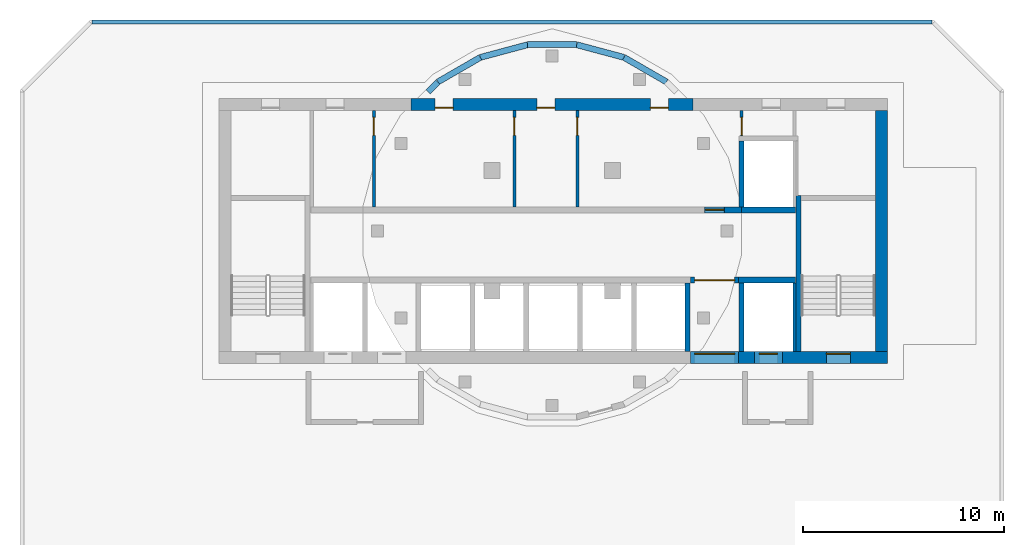
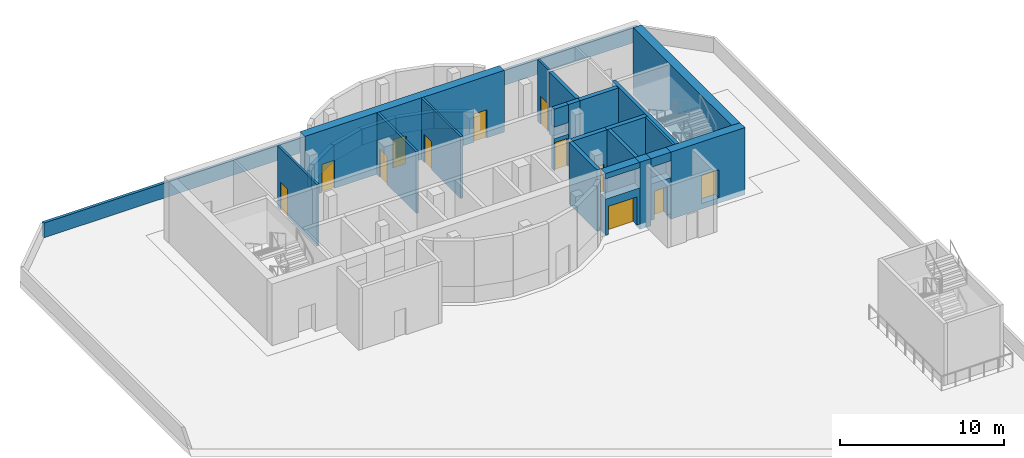
# One storey, part 3 of 7: 30 walls, 12 doors, 12 openings.
"""IFC4 building model written with IfcOpenShell, lengths in metres."""

from ifc_helpers import new_model, si_unit, direction, frame, frame_2d, origin, place, context, subcontext, project, spatial, rectangle, extrude, source, transform, mapped, material, layer, layer_set, type_object, element, fill, save


model = new_model("IFC4")

# Units and contexts
model_context = context("Model", 3, precision=1e-05, world=origin(), true_north=direction((0.0, 1.0)))
body_context = subcontext(model_context, "Body", "Model", "MODEL_VIEW")
ifc_project = project(units=[si_unit("LENGTHUNIT", "METRE"), si_unit("AREAUNIT", "SQUARE_METRE"), si_unit("VOLUMEUNIT", "CUBIC_METRE"), si_unit("PLANEANGLEUNIT", "RADIAN"), si_unit("MASSUNIT", "GRAM", prefix="KILO")], contexts=[model_context])

# Site, building, storey
site_placement = place(None, origin())
site = spatial("IfcSite", under=ifc_project, at=site_placement, CompositionType="ELEMENT")
building_placement = place(site_placement, origin())
building = spatial("IfcBuilding", under=site, at=building_placement, Name="Kilnfold Tower and Market Hall", CompositionType="ELEMENT")
storey_placement = place(building_placement, frame((0.0, 0.0, 318.800048828125)))
storey = spatial("IfcBuildingStorey", under=building, at=storey_placement, Name="L80 Crown Plant", CompositionType="ELEMENT", Elevation=318.800048828125)

# Walls
ifc_material_1 = material(Name="Concrete C50", Category="concrete")
ifc_layer_1 = layer(ifc_material_1, 0.25)
ifc_layer_set_1 = layer_set([ifc_layer_1], Name="Concrete C50")
wall_type_1 = type_object("IfcWallType", Name="CORE WALL 250 C50", PredefinedType="SHEAR", material=ifc_layer_set_1)
shared_shape_1 = source(origin(), body_context, "Body", "SweptSolid", [
    extrude(rectangle(XDim=7.75, YDim=0.25, at=frame_2d((3.875, 0.0))), origin(), (0.0, 0.0, 1.0), 5.0),
])
wall_1_placement = place(storey_placement, frame((13.27490234375, 9.0, -0.400146484375), z_axis=(0.0, 0.0, 1.0), x_axis=(0.0, 1.0, 0.0)))
element("IfcWall", 1, at=wall_1_placement, inside=storey, type_object=wall_type_1, Name="Stair enclosure ST2", PredefinedType="SHEAR", context=body_context, shape_type="MappedRepresentation", body=[
    mapped(shared_shape_1, transform((0.0, 0.0, 0.0))),
])
ifc_material_2 = material(Name="Concrete C50", Category="concrete")
ifc_layer_2 = layer(ifc_material_2, 0.300048828125)
ifc_layer_set_2 = layer_set([ifc_layer_2], Name="Concrete C50")
wall_type_2 = type_object("IfcWallType", Name="CORE WALL 300 C50", PredefinedType="SHEAR", material=ifc_layer_set_2)
shared_shape_2 = source(origin(), body_context, "Body", "SweptSolid", [
    extrude(rectangle(XDim=2.820068359375, YDim=0.300048828125, at=frame_2d((1.41015625, 0.0))), origin(), (0.0, 0.0, 1.0), 5.0),
])
wall_2_placement = place(storey_placement, frame((10.2900390625, 12.550048828125, -0.400146484375), z_axis=(0.0, 0.0, 1.0), x_axis=(1.0, 0.0, 0.0)))
element("IfcWall", 2, at=wall_2_placement, inside=storey, type_object=wall_type_2, Name="Core spine wall", PredefinedType="SHEAR", context=body_context, shape_type="MappedRepresentation", body=[
    mapped(shared_shape_2, transform((0.0, 0.0, 0.0))),
])

# Wall, opening, door
ifc_material_3 = material(Name="Concrete C50", Category="concrete")
ifc_layer_3 = layer(ifc_material_3, 0.60009765625)
ifc_layer_set_3 = layer_set([ifc_layer_3], Name="Concrete C50")
wall_type_3 = type_object("IfcWallType", Name="CORE WALL 600 C50", PredefinedType="SHEAR", material=ifc_layer_set_3)
shared_shape_3 = source(origin(), body_context, "Body", "SweptSolid", [
    extrude(rectangle(XDim=5.22998046875, YDim=0.60009765625, at=frame_2d((2.614990234375, 0.0))), origin(), (0.0, 0.0, 1.0), 5.0),
])
wall_3_placement = place(storey_placement, frame((12.469970703125, 8.699951171875, -0.400146484375), z_axis=(0.0, 0.0, 1.0), x_axis=(1.0, 0.0, 0.0)))
wall_3 = element("IfcWall", 3, at=wall_3_placement, inside=storey, type_object=wall_type_3, Name="Core outer wall south", PredefinedType="SHEAR", context=body_context, shape_type="MappedRepresentation", body=[
    mapped(shared_shape_3, transform((0.0, 0.0, 0.0))),
])
opening_1_placement = place(wall_3_placement, frame((2.179931640625, 0.0, 0.39990234375)))
opening_1 = element("IfcOpeningElement", 4, at=opening_1_placement, cuts=wall_3, Name="Opening SD1", PredefinedType="OPENING", context=body_context, shape_type="SweptSolid", body=[
    extrude(rectangle(XDim=1.199951171875, YDim=2.10009765625, at=frame_2d((0.60009765625, 1.050048828125))), frame((0.0, 0.31005859375, 0.0), z_axis=(0.0, -1.0, 0.0), x_axis=(1.0, 0.0, 0.0)), (0.0, 0.0, 1.0), 0.6201171875),
])
ifc_material_4 = material(Name="Steel door set with fire-resisting leaf", Category="steel")
door_type_1 = type_object("IfcDoorType", Name="STAIR FLOOR DOOR 1200X2100", OperationType="NOTDEFINED", PredefinedType="DOOR", material=ifc_material_4)
door_1_placement = place(opening_1_placement, origin())
door_1 = element("IfcDoor", 5, at=door_1_placement, inside=storey, type_object=door_type_1, Name="Exit stair ST2 door", OperationType="DOUBLE_DOOR_SINGLE_SWING", OverallHeight=2.10009765625, OverallWidth=1.199951171875, PredefinedType="DOOR", context=body_context, shape_type="SweptSolid", body=[
    extrude(rectangle(XDim=1.199951171875, YDim=2.10009765625, at=frame_2d((0.60009765625, 1.050048828125))), frame((0.0, 0.205078125, 0.0), z_axis=(0.0, -1.0, 0.0), x_axis=(1.0, 0.0, 0.0)), (0.0, 0.0, 1.0), 0.050048828125),
])
fill(opening_1, door_1)

# Wall
shared_shape_4 = source(origin(), body_context, "Body", "SweptSolid", [
    extrude(rectangle(XDim=0.780029296875, YDim=0.60009765625, at=frame_2d((0.39013671875, 0.0))), origin(), (0.0, 0.0, 1.0), 5.0),
])
wall_4_placement = place(storey_placement, frame((10.2900390625, 8.699951171875, -0.400146484375), z_axis=(0.0, 0.0, 1.0), x_axis=(1.0, 0.0, 0.0)))
element("IfcWall", 6, at=wall_4_placement, inside=storey, type_object=wall_type_3, Name="Core outer wall south", PredefinedType="SHEAR", context=body_context, shape_type="MappedRepresentation", body=[
    mapped(shared_shape_4, transform((0.0, 0.0, 0.0))),
])

# Wall, openings, doors
shared_shape_5 = source(origin(), body_context, "Body", "SweptSolid", [
    extrude(rectangle(XDim=14.0400390625, YDim=0.60009765625, at=frame_2d((7.02001953125, 0.0))), origin(), (0.0, 0.0, 1.0), 4.599853515625),
])
wall_5_placement = place(storey_placement, frame((-6.02001953125, 21.300048828125, 0.0), z_axis=(0.0, 0.0, 1.0), x_axis=(1.0, 0.0, 0.0)))
wall_5 = element("IfcWall", 7, at=wall_5_placement, inside=storey, type_object=wall_type_3, Name="Core outer wall north", PredefinedType="SHEAR", context=body_context, shape_type="MappedRepresentation", body=[
    mapped(shared_shape_5, transform((0.0, 0.0, 0.0))),
])
opening_2_placement = place(wall_5_placement, frame((1.193115234375, 0.0, 0.0)))
opening_2 = element("IfcOpeningElement", 8, at=opening_2_placement, cuts=wall_5, Name="Opening KD1", PredefinedType="OPENING", context=body_context, shape_type="SweptSolid", body=[
    extrude(rectangle(XDim=0.89990234375, YDim=2.10009765625, at=frame_2d((0.449951171875, 1.050048828125))), frame((0.0, 0.31005859375, 0.0), z_axis=(0.0, -1.0, 0.0), x_axis=(1.0, 0.0, 0.0)), (0.0, 0.0, 1.0), 0.6201171875),
])
opening_3_placement = place(wall_5_placement, frame((6.25830078125, 0.0, 0.0)))
opening_3 = element("IfcOpeningElement", 9, at=opening_3_placement, cuts=wall_5, Name="Opening KD1", PredefinedType="OPENING", context=body_context, shape_type="SweptSolid", body=[
    extrude(rectangle(XDim=0.89990234375, YDim=2.10009765625, at=frame_2d((0.449951171875, 1.050048828125))), frame((0.0, 0.31005859375, 0.0), z_axis=(0.0, -1.0, 0.0), x_axis=(1.0, 0.0, 0.0)), (0.0, 0.0, 1.0), 0.6201171875),
])
opening_4_placement = place(wall_5_placement, frame((11.9130859375, 0.0, 0.0)))
opening_4 = element("IfcOpeningElement", 10, at=opening_4_placement, cuts=wall_5, Name="Opening KD1", PredefinedType="OPENING", context=body_context, shape_type="SweptSolid", body=[
    extrude(rectangle(XDim=0.89990234375, YDim=2.10009765625, at=frame_2d((0.449951171875, 1.050048828125))), frame((0.0, 0.31005859375, 0.0), z_axis=(0.0, -1.0, 0.0), x_axis=(1.0, 0.0, 0.0)), (0.0, 0.0, 1.0), 0.6201171875),
])
ifc_material_5 = material(Name="Steel door set with fire-resisting leaf", Category="steel")
door_type_2 = type_object("IfcDoorType", Name="SERVICE DOOR 900X2100", OperationType="NOTDEFINED", PredefinedType="DOOR", material=ifc_material_5)
door_2_placement = place(opening_2_placement, origin())
door_2 = element("IfcDoor", 11, at=door_2_placement, inside=storey, type_object=door_type_2, Name="Core service door", OperationType="SINGLE_SWING_LEFT", OverallHeight=2.10009765625, OverallWidth=0.89990234375, PredefinedType="DOOR", context=body_context, shape_type="SweptSolid", body=[
    extrude(rectangle(XDim=0.89990234375, YDim=2.10009765625, at=frame_2d((0.449951171875, 1.050048828125))), frame((0.0, -0.15478515625, 0.0), z_axis=(0.0, -1.0, 0.0), x_axis=(1.0, 0.0, 0.0)), (0.0, 0.0, 1.0), 0.050048828125),
])
fill(opening_2, door_2)
door_3_placement = place(opening_3_placement, origin())
door_3 = element("IfcDoor", 12, at=door_3_placement, inside=storey, type_object=door_type_2, Name="Core service door", OperationType="SINGLE_SWING_RIGHT", OverallHeight=2.10009765625, OverallWidth=0.89990234375, PredefinedType="DOOR", context=body_context, shape_type="SweptSolid", body=[
    extrude(rectangle(XDim=0.89990234375, YDim=2.10009765625, at=frame_2d((0.449951171875, 1.050048828125))), frame((0.0, -0.15478515625, 0.0), z_axis=(0.0, -1.0, 0.0), x_axis=(1.0, 0.0, 0.0)), (0.0, 0.0, 1.0), 0.050048828125),
])
fill(opening_3, door_3)
door_4_placement = place(opening_4_placement, origin())
door_4 = element("IfcDoor", 13, at=door_4_placement, inside=storey, type_object=door_type_2, Name="Core service door", OperationType="SINGLE_SWING_LEFT", OverallHeight=2.10009765625, OverallWidth=0.89990234375, PredefinedType="DOOR", context=body_context, shape_type="SweptSolid", body=[
    extrude(rectangle(XDim=0.89990234375, YDim=2.10009765625, at=frame_2d((0.449951171875, 1.050048828125))), frame((0.0, -0.15478515625, 0.0), z_axis=(0.0, -1.0, 0.0), x_axis=(1.0, 0.0, 0.0)), (0.0, 0.0, 1.0), 0.050048828125),
])
fill(opening_4, door_4)

# Walls
shared_shape_6 = source(origin(), body_context, "Body", "SweptSolid", [
    extrude(rectangle(XDim=12.0, YDim=0.60009765625, at=frame_2d((6.0, 0.0))), origin(), (0.0, 0.0, 1.0), 5.0),
])
wall_6_placement = place(storey_placement, frame((17.39990234375, 9.0, -0.400146484375), z_axis=(0.0, 0.0, 1.0), x_axis=(0.0, 1.0, 0.0)))
element("IfcWall", 14, at=wall_6_placement, inside=storey, type_object=wall_type_3, Name="Core outer wall east", PredefinedType="SHEAR", context=body_context, shape_type="MappedRepresentation", body=[
    mapped(shared_shape_6, transform((0.0, 0.0, 0.0))),
])
shared_shape_7 = source(origin(), body_context, "Body", "SweptSolid", [
    extrude(rectangle(XDim=0.82861328125, YDim=0.300048828125, at=frame_2d((0.414306640625, 0.0))), origin(), (0.0, 0.0, 1.0), 4.599853515625),
])
wall_7_placement = place(storey_placement, frame((9.590087890625, 16.050048828125, 0.0), z_axis=(0.0, 0.0, 1.0), x_axis=(1.0, 0.0, 0.0)))
element("IfcWall", 15, at=wall_7_placement, inside=storey, type_object=wall_type_2, Name="Core spine wall", PredefinedType="SHEAR", context=body_context, shape_type="MappedRepresentation", body=[
    mapped(shared_shape_7, transform((0.0, 0.0, 0.0))),
])
shared_shape_8 = source(origin(), body_context, "Body", "SweptSolid", [
    extrude(rectangle(XDim=2.69140625, YDim=0.300048828125, at=frame_2d((1.345703125, 0.0))), origin(), (0.0, 0.0, 1.0), 5.0),
])
wall_8_placement = place(storey_placement, frame((10.418701171875, 16.050048828125, -0.400146484375), z_axis=(0.0, 0.0, 1.0), x_axis=(1.0, 0.0, 0.0)))
element("IfcWall", 16, at=wall_8_placement, inside=storey, type_object=wall_type_2, Name="Core spine wall", PredefinedType="SHEAR", context=body_context, shape_type="MappedRepresentation", body=[
    mapped(shared_shape_8, transform((0.0, 0.0, 0.0))),
])
shared_shape_9 = source(origin(), body_context, "Body", "SweptSolid", [
    extrude(rectangle(XDim=1.39990234375, YDim=0.60009765625, at=frame_2d((0.699951171875, 0.0))), origin(), (0.0, 0.0, 1.0), 0.64990234375),
])
wall_9_placement = place(storey_placement, frame((11.070068359375, 8.699951171875, 3.949951171875), z_axis=(0.0, 0.0, 1.0), x_axis=(1.0, 0.0, 0.0)))
element("IfcWall", 17, at=wall_9_placement, inside=storey, type_object=wall_type_3, Name="Core wall over opening", PredefinedType="SHEAR", context=body_context, shape_type="MappedRepresentation", body=[
    mapped(shared_shape_9, transform((0.0, 0.0, 0.0))),
])
shared_shape_10 = source(origin(), body_context, "Body", "SweptSolid", [
    extrude(rectangle(XDim=2.400146484375, YDim=0.60009765625, at=frame_2d((1.2001953125, 0.0))), origin(), (0.0, 0.0, 1.0), 0.39990234375),
])
wall_10_placement = place(storey_placement, frame((7.889892578125, 8.699951171875, 4.199951171875), z_axis=(0.0, 0.0, 1.0), x_axis=(1.0, 0.0, 0.0)))
element("IfcWall", 18, at=wall_10_placement, inside=storey, type_object=wall_type_3, Name="Core wall over opening", PredefinedType="SHEAR", context=body_context, shape_type="MappedRepresentation", body=[
    mapped(shared_shape_10, transform((0.0, 0.0, 0.0))),
])
shared_shape_11 = source(origin(), body_context, "Body", "SweptSolid", [
    extrude(rectangle(XDim=1.0, YDim=0.300048828125, at=frame_2d((0.5, 0.0))), origin(), (0.0, 0.0, 1.0), 1.349853515625),
])
wall_11_placement = place(storey_placement, frame((8.590087890625, 16.050048828125, 3.25), z_axis=(0.0, 0.0, 1.0), x_axis=(1.0, 0.0, 0.0)))
element("IfcWall", 19, at=wall_11_placement, inside=storey, type_object=wall_type_2, Name="Core wall over opening", PredefinedType="SHEAR", context=body_context, shape_type="MappedRepresentation", body=[
    mapped(shared_shape_11, transform((0.0, 0.0, 0.0))),
])
ifc_material_6 = material(Name="Precast concrete C50/60", Category="concrete")
ifc_layer_4 = layer(ifc_material_6, 0.300048828125)
ifc_layer_set_4 = layer_set([ifc_layer_4], Name="Precast concrete C50/60")
wall_type_4 = type_object("IfcWallType", Name="PRECAST WALL 300", PredefinedType="SOLIDWALL", material=ifc_layer_set_4)
shared_shape_12 = source(origin(), body_context, "Body", "SweptSolid", [
    extrude(rectangle(XDim=2.4404296875, YDim=0.300048828125, at=frame_2d((1.22021484375, 0.0))), origin(), (0.0, 0.0, 1.0), 1.199951171875),
])
for number, where, z_axis, x_axis, name in (
    (20, (6.691162109375, 22.4169921875, 0.0), (0.0, 0.0, 1.0), (-0.866030657337, 0.49999090047, 0.0), "Drum knee wall L80 11"),
    (21, (2.22021484375, 24.268798828125, 0.0), (0.0, 0.0, 1.0), (-1.0, 0.0, 0.0), "Drum knee wall L80 13"),
    (22, (-2.57763671875, 23.63720703125, 0.0), (0.0, 0.0, 1.0), (-0.866030657337, -0.49999090047, 0.0), "Drum knee wall L80 15"),
):
    element("IfcWall", number, at=place(storey_placement, frame(where, z_axis=z_axis, x_axis=x_axis)), inside=storey, type_object=wall_type_4, Name=name, PredefinedType="SOLIDWALL", context=body_context, shape_type="MappedRepresentation", body=[
        mapped(shared_shape_12, transform((0.0, 0.0, 0.0))),
    ])
shared_shape_13 = source(origin(), body_context, "Body", "SweptSolid", [
    extrude(rectangle(XDim=0.697265625, YDim=0.300048828125, at=frame_2d((0.3486328125, 0.0))), origin(), (0.0, 0.0, 1.0), 1.199951171875),
])
wall_12_placement = place(storey_placement, frame((-4.691162109375, 22.4169921875, 0.0), z_axis=(0.0, 0.0, 1.0), x_axis=(-0.706931689754, -0.707281829274, 0.0)))
element("IfcWall", 23, at=wall_12_placement, inside=storey, type_object=wall_type_4, Name="Drum knee wall L80 16", PredefinedType="SOLIDWALL", context=body_context, shape_type="MappedRepresentation", body=[
    mapped(shared_shape_13, transform((0.0, 0.0, 0.0))),
])
shared_shape_14 = source(origin(), body_context, "Body", "SweptSolid", [
    extrude(rectangle(XDim=2.440673828125, YDim=0.300048828125, at=frame_2d((1.22021484375, 0.0))), origin(), (0.0, 0.0, 1.0), 1.199951171875),
])
for number, where, z_axis, x_axis, name in (
    (24, (4.57763671875, 23.63720703125, 0.0), (0.0, 0.0, 1.0), (-0.96593376363, 0.258789420724, 0.0), "Drum knee wall L80 12"),
    (25, (-0.22021484375, 24.268798828125, 0.0), (0.0, 0.0, 1.0), (-0.96593376363, -0.258789420724, 0.0), "Drum knee wall L80 14"),
):
    element("IfcWall", number, at=place(storey_placement, frame(where, z_axis=z_axis, x_axis=x_axis)), inside=storey, type_object=wall_type_4, Name=name, PredefinedType="SOLIDWALL", context=body_context, shape_type="MappedRepresentation", body=[
        mapped(shared_shape_14, transform((0.0, 0.0, 0.0))),
    ])
ifc_material_7 = material(Name="Precast concrete C50/60", Category="concrete")
ifc_layer_5 = layer(ifc_material_7, 0.199951171875)
ifc_layer_set_5 = layer_set([ifc_layer_5], Name="Precast concrete C50/60")
wall_type_5 = type_object("IfcWallType", Name="PARAPET WALL 200", PredefinedType="PARAPET", material=ifc_layer_set_5)
shared_shape_15 = source(origin(), body_context, "Body", "SweptSolid", [
    extrude(rectangle(XDim=41.83447265625, YDim=0.199951171875, at=frame_2d((20.917236328125, 0.0))), origin(), (0.0, 0.0, 1.0), 1.099853515625),
])
wall_13_placement = place(storey_placement, frame((-21.917236328125, 25.39990234375, 0.0), z_axis=(0.0, 0.0, 1.0), x_axis=(1.0, 0.0, 0.0)))
element("IfcWall", 26, at=wall_13_placement, inside=storey, type_object=wall_type_5, Name="Maintenance roof parapet 1.2", PredefinedType="PARAPET", context=body_context, shape_type="MappedRepresentation", body=[
    mapped(shared_shape_15, transform((0.0, 0.0, 0.0))),
])

# Wall, opening, door
ifc_material_8 = material(Name="Gypsum shaft wall system")
ifc_layer_6 = layer(ifc_material_8, 0.60009765625)
ifc_layer_set_6 = layer_set([ifc_layer_6], Name="Gypsum shaft wall system")
wall_type_6 = type_object("IfcWallType", Name="LOBBY WALL 600", PredefinedType="PARTITIONING", material=ifc_layer_set_6)
shared_shape_16 = source(origin(), body_context, "Body", "SweptSolid", [
    extrude(rectangle(XDim=1.39990234375, YDim=0.60009765625, at=frame_2d((0.699951171875, 0.0))), origin(), (0.0, 0.0, 1.0), 2.699951171875),
])
wall_14_placement = place(storey_placement, frame((11.070068359375, 8.699951171875, 0.0), z_axis=(0.0, 0.0, 1.0), x_axis=(1.0, 0.0, 0.0)))
wall_14 = element("IfcWall", 27, at=wall_14_placement, inside=storey, type_object=wall_type_6, Name="Core wall infill", PredefinedType="PARTITIONING", context=body_context, shape_type="MappedRepresentation", body=[
    mapped(shared_shape_16, transform((0.0, 0.0, 0.0))),
])
opening_5_placement = place(wall_14_placement, frame((0.25, 0.0, 0.0)))
opening_5 = element("IfcOpeningElement", 28, at=opening_5_placement, cuts=wall_14, Name="Opening LD1", PredefinedType="OPENING", context=body_context, shape_type="SweptSolid", body=[
    extrude(rectangle(XDim=0.89990234375, YDim=2.10009765625, at=frame_2d((0.449951171875, 1.050048828125))), frame((0.0, 0.31005859375, 0.0), z_axis=(0.0, -1.0, 0.0), x_axis=(1.0, 0.0, 0.0)), (0.0, 0.0, 1.0), 0.6201171875),
])
ifc_material_9 = material(Name="Steel door set with fire-resisting leaf", Category="steel")
door_type_3 = type_object("IfcDoorType", Name="FIREFIGHTING LANDING DOOR 900X2100", OperationType="NOTDEFINED", PredefinedType="DOOR", material=ifc_material_9)
door_5_placement = place(opening_5_placement, origin())
door_5 = element("IfcDoor", 29, at=door_5_placement, inside=storey, type_object=door_type_3, Name="Landing door FF3", OperationType="SLIDING_TO_LEFT", OverallHeight=2.10009765625, OverallWidth=0.89990234375, PredefinedType="DOOR", context=body_context, shape_type="SweptSolid", body=[
    extrude(rectangle(XDim=0.89990234375, YDim=2.10009765625, at=frame_2d((0.449951171875, 1.050048828125))), frame((0.0, 0.205078125, 0.0), z_axis=(0.0, -1.0, 0.0), x_axis=(1.0, 0.0, 0.0)), (0.0, 0.0, 1.0), 0.050048828125),
])
fill(opening_5, door_5)

shared_shape_17 = source(origin(), body_context, "Body", "SweptSolid", [
    extrude(rectangle(XDim=2.400146484375, YDim=0.60009765625, at=frame_2d((1.2001953125, 0.0))), origin(), (0.0, 0.0, 1.0), 2.699951171875),
])
wall_15_placement = place(storey_placement, frame((7.889892578125, 8.699951171875, 0.0), z_axis=(0.0, 0.0, 1.0), x_axis=(1.0, 0.0, 0.0)))
wall_15 = element("IfcWall", 30, at=wall_15_placement, inside=storey, type_object=wall_type_6, Name="Core wall infill", PredefinedType="PARTITIONING", context=body_context, shape_type="MappedRepresentation", body=[
    mapped(shared_shape_17, transform((0.0, 0.0, 0.0))),
])
opening_6_placement = place(wall_15_placement, frame((0.199951171875, 0.0, 0.0)))
opening_6 = element("IfcOpeningElement", 31, at=opening_6_placement, cuts=wall_15, Name="Opening VD2", PredefinedType="OPENING", context=body_context, shape_type="SweptSolid", body=[
    extrude(rectangle(XDim=2.0, YDim=2.10009765625, at=frame_2d((1.0, 1.050048828125))), frame((0.0, 0.31005859375, 0.0), z_axis=(0.0, -1.0, 0.0), x_axis=(1.0, 0.0, 0.0)), (0.0, 0.0, 1.0), 0.6201171875),
])
ifc_material_10 = material(Name="Steel door set with fire-resisting leaf", Category="steel")
door_type_4 = type_object("IfcDoorType", Name="LIFT LOBBY ENTRANCE DOOR 2000X2100", OperationType="NOTDEFINED", PredefinedType="DOOR", material=ifc_material_10)
door_6_placement = place(opening_6_placement, origin())
door_6 = element("IfcDoor", 32, at=door_6_placement, inside=storey, type_object=door_type_4, Name="Lift lobby entrance door", OperationType="DOUBLE_DOOR_SINGLE_SWING", OverallHeight=2.10009765625, OverallWidth=2.0, PredefinedType="DOOR", context=body_context, shape_type="SweptSolid", body=[
    extrude(rectangle(XDim=2.0, YDim=2.10009765625, at=frame_2d((1.0, 1.050048828125))), frame((0.0, 0.205078125, 0.0), z_axis=(0.0, -1.0, 0.0), x_axis=(1.0, 0.0, 0.0)), (0.0, 0.0, 1.0), 0.050048828125),
])
fill(opening_6, door_6)

ifc_material_11 = material(Name="Gypsum shaft wall system")
ifc_layer_7 = layer(ifc_material_11, 0.300048828125)
ifc_layer_set_7 = layer_set([ifc_layer_7], Name="Gypsum shaft wall system")
wall_type_7 = type_object("IfcWallType", Name="SHAFT WALL 300", PredefinedType="PARTITIONING", material=ifc_layer_set_7)
shared_shape_18 = source(origin(), body_context, "Body", "SweptSolid", [
    extrude(rectangle(XDim=2.400146484375, YDim=0.300048828125, at=frame_2d((1.2001953125, 0.0))), origin(), (0.0, 0.0, 1.0), 4.599853515625),
])
wall_16_placement = place(storey_placement, frame((7.889892578125, 12.550048828125, 0.0), z_axis=(0.0, 0.0, 1.0), x_axis=(1.0, 0.0, 0.0)))
wall_16 = element("IfcWall", 33, at=wall_16_placement, inside=storey, type_object=wall_type_7, Name="Lift shaft front wall", PredefinedType="PARTITIONING", context=body_context, shape_type="MappedRepresentation", body=[
    mapped(shared_shape_18, transform((0.0, 0.0, 0.0))),
])
opening_7_placement = place(wall_16_placement, frame((0.199951171875, 0.0, 0.0)))
opening_7 = element("IfcOpeningElement", 34, at=opening_7_placement, cuts=wall_16, Name="Opening VD2", PredefinedType="OPENING", context=body_context, shape_type="SweptSolid", body=[
    extrude(rectangle(XDim=2.0, YDim=2.10009765625, at=frame_2d((1.0, 1.050048828125))), frame((0.0, 0.16015625, 0.0), z_axis=(0.0, -1.0, 0.0), x_axis=(1.0, 0.0, 0.0)), (0.0, 0.0, 1.0), 0.320068359375),
])
door_7_placement = place(opening_7_placement, origin())
door_7 = element("IfcDoor", 35, at=door_7_placement, inside=storey, type_object=door_type_4, Name="Lift lobby entrance door", OperationType="DOUBLE_DOOR_SINGLE_SWING", OverallHeight=2.10009765625, OverallWidth=2.0, PredefinedType="DOOR", context=body_context, shape_type="SweptSolid", body=[
    extrude(rectangle(XDim=2.0, YDim=2.10009765625, at=frame_2d((1.0, 1.050048828125))), frame((0.0, 0.02490234375, 0.0), z_axis=(0.0, -1.0, 0.0), x_axis=(1.0, 0.0, 0.0)), (0.0, 0.0, 1.0), 0.050048828125),
])
fill(opening_7, door_7)

# Walls
ifc_material_12 = material(Name="Gypsum shaft wall system")
ifc_layer_8 = layer(ifc_material_12, 0.25)
ifc_layer_set_8 = layer_set([ifc_layer_8], Name="Gypsum shaft wall system")
wall_type_8 = type_object("IfcWallType", Name="SHAFT WALL 250", PredefinedType="PARTITIONING", material=ifc_layer_set_8)
shared_shape_19 = source(origin(), body_context, "Body", "SweptSolid", [
    extrude(rectangle(XDim=3.275146484375, YDim=0.25, at=frame_2d((1.6376953125, 0.0))), origin(), (0.0, 0.0, 1.0), 4.599853515625),
])
wall_17_placement = place(storey_placement, frame((10.429931640625, 16.199951171875, 0.0), z_axis=(0.0, 0.0, 1.0), x_axis=(0.0, 1.0, 0.0)))
element("IfcWall", 36, at=wall_17_placement, inside=storey, type_object=wall_type_8, Name="Lift shaft wall", PredefinedType="PARTITIONING", context=body_context, shape_type="MappedRepresentation", body=[
    mapped(shared_shape_19, transform((0.0, 0.0, 0.0))),
])
shared_shape_20 = source(origin(), body_context, "Body", "SweptSolid", [
    extrude(rectangle(XDim=3.39990234375, YDim=0.25, at=frame_2d((1.699951171875, 0.0))), origin(), (0.0, 0.0, 1.0), 4.599853515625),
])
for number, where, z_axis, x_axis, name in (
    (37, (10.429931640625, 9.0, 0.0), (0.0, 0.0, 1.0), (0.0, 1.0, 0.0), "Lift shaft wall"),
    (38, (7.75, 9.0, 0.0), (0.0, 0.0, 1.0), (0.0, 1.0, 0.0), "Lift shaft wall"),
):
    element("IfcWall", number, at=place(storey_placement, frame(where, z_axis=z_axis, x_axis=x_axis)), inside=storey, type_object=wall_type_8, Name=name, PredefinedType="PARTITIONING", context=body_context, shape_type="MappedRepresentation", body=[
        mapped(shared_shape_20, transform((0.0, 0.0, 0.0))),
    ])
ifc_material_13 = material(Name="Gypsum shaft wall system")
ifc_layer_9 = layer(ifc_material_13, 0.1650390625)
ifc_layer_set_9 = layer_set([ifc_layer_9], Name="Gypsum shaft wall system")
wall_type_9 = type_object("IfcWallType", Name="SHAFT WALL 165", PredefinedType="PARTITIONING", material=ifc_layer_set_9)
shared_shape_21 = source(origin(), body_context, "Body", "SweptSolid", [
    extrude(rectangle(XDim=3.39990234375, YDim=0.1650390625, at=frame_2d((1.699951171875, 0.0))), origin(), (0.0, 0.0, 1.0), 4.599853515625),
])
wall_18_placement = place(storey_placement, frame((13.0673828125, 9.0, 0.0), z_axis=(0.0, 0.0, 1.0), x_axis=(0.0, 1.0, 0.0)))
element("IfcWall", 39, at=wall_18_placement, inside=storey, type_object=wall_type_9, Name="Lift shaft wall", PredefinedType="PARTITIONING", context=body_context, shape_type="MappedRepresentation", body=[
    mapped(shared_shape_21, transform((0.0, 0.0, 0.0))),
])

# Wall, opening, door
ifc_material_14 = material(Name="Gypsum shaft wall system")
ifc_layer_10 = layer(ifc_material_14, 0.14990234375)
ifc_layer_set_10 = layer_set([ifc_layer_10], Name="Gypsum shaft wall system")
wall_type_10 = type_object("IfcWallType", Name="ROOM WALL 150", PredefinedType="PARTITIONING", material=ifc_layer_set_10)
shared_shape_22 = source(origin(), body_context, "Body", "SweptSolid", [
    extrude(rectangle(XDim=4.800048828125, YDim=0.14990234375, at=frame_2d((2.39990234375, 0.0))), origin(), (0.0, 0.0, 1.0), 4.599853515625),
])
wall_19_placement = place(storey_placement, frame((-7.87451171875, 16.199951171875, 0.0), z_axis=(0.0, 0.0, 1.0), x_axis=(0.0, 1.0, 0.0)))
wall_19 = element("IfcWall", 40, at=wall_19_placement, inside=storey, type_object=wall_type_10, Name="Core room wall", PredefinedType="PARTITIONING", context=body_context, shape_type="MappedRepresentation", body=[
    mapped(shared_shape_22, transform((0.0, 0.0, 0.0))),
])
opening_8_placement = place(wall_19_placement, frame((3.550048828125, 0.0, 0.0)))
opening_8 = element("IfcOpeningElement", 41, at=opening_8_placement, cuts=wall_19, Name="Opening KD1", PredefinedType="OPENING", context=body_context, shape_type="SweptSolid", body=[
    extrude(rectangle(XDim=0.89990234375, YDim=2.10009765625, at=frame_2d((0.449951171875, 1.050048828125))), frame((0.0, 0.0849609375, 0.0), z_axis=(0.0, -1.0, 0.0), x_axis=(1.0, 0.0, 0.0)), (0.0, 0.0, 1.0), 0.169921875),
])
door_8_placement = place(opening_8_placement, origin())
door_8 = element("IfcDoor", 42, at=door_8_placement, inside=storey, type_object=door_type_2, Name="Core service door", OperationType="SINGLE_SWING_LEFT", OverallHeight=2.10009765625, OverallWidth=0.89990234375, PredefinedType="DOOR", context=body_context, shape_type="SweptSolid", body=[
    extrude(rectangle(XDim=0.89990234375, YDim=2.10009765625, at=frame_2d((0.449951171875, 1.050048828125))), frame((0.0, 0.02490234375, 0.0), z_axis=(0.0, -1.0, 0.0), x_axis=(1.0, 0.0, 0.0)), (0.0, 0.0, 1.0), 0.050048828125),
])
fill(opening_8, door_8)

wall_20_placement = place(storey_placement, frame((-0.879638671875, 16.199951171875, 0.0), z_axis=(0.0, 0.0, 1.0), x_axis=(0.0, 1.0, 0.0)))
wall_20 = element("IfcWall", 43, at=wall_20_placement, inside=storey, type_object=wall_type_10, Name="Core room wall", PredefinedType="PARTITIONING", context=body_context, shape_type="MappedRepresentation", body=[
    mapped(shared_shape_22, transform((0.0, 0.0, 0.0))),
])
opening_9_placement = place(wall_20_placement, frame((3.550048828125, 0.0, 0.0)))
opening_9 = element("IfcOpeningElement", 44, at=opening_9_placement, cuts=wall_20, Name="Opening KD1", PredefinedType="OPENING", context=body_context, shape_type="SweptSolid", body=[
    extrude(rectangle(XDim=0.89990234375, YDim=2.10009765625, at=frame_2d((0.449951171875, 1.050048828125))), frame((0.0, 0.0849609375, 0.0), z_axis=(0.0, -1.0, 0.0), x_axis=(1.0, 0.0, 0.0)), (0.0, 0.0, 1.0), 0.169921875),
])
door_9_placement = place(opening_9_placement, origin())
door_9 = element("IfcDoor", 45, at=door_9_placement, inside=storey, type_object=door_type_2, Name="Core service door", OperationType="SINGLE_SWING_RIGHT", OverallHeight=2.10009765625, OverallWidth=0.89990234375, PredefinedType="DOOR", context=body_context, shape_type="SweptSolid", body=[
    extrude(rectangle(XDim=0.89990234375, YDim=2.10009765625, at=frame_2d((0.449951171875, 1.050048828125))), frame((0.0, 0.02490234375, 0.0), z_axis=(0.0, -1.0, 0.0), x_axis=(1.0, 0.0, 0.0)), (0.0, 0.0, 1.0), 0.050048828125),
])
fill(opening_9, door_9)

wall_21_placement = place(storey_placement, frame((2.256103515625, 16.199951171875, 0.0), z_axis=(0.0, 0.0, 1.0), x_axis=(0.0, 1.0, 0.0)))
wall_21 = element("IfcWall", 46, at=wall_21_placement, inside=storey, type_object=wall_type_10, Name="Core room wall", PredefinedType="PARTITIONING", context=body_context, shape_type="MappedRepresentation", body=[
    mapped(shared_shape_22, transform((0.0, 0.0, 0.0))),
])
opening_10_placement = place(wall_21_placement, frame((3.550048828125, 0.0, 0.0)))
opening_10 = element("IfcOpeningElement", 47, at=opening_10_placement, cuts=wall_21, Name="Opening KD1", PredefinedType="OPENING", context=body_context, shape_type="SweptSolid", body=[
    extrude(rectangle(XDim=0.89990234375, YDim=2.10009765625, at=frame_2d((0.449951171875, 1.050048828125))), frame((0.0, 0.0849609375, 0.0), z_axis=(0.0, -1.0, 0.0), x_axis=(1.0, 0.0, 0.0)), (0.0, 0.0, 1.0), 0.169921875),
])
door_10_placement = place(opening_10_placement, origin())
door_10 = element("IfcDoor", 48, at=door_10_placement, inside=storey, type_object=door_type_2, Name="Core service door", OperationType="SINGLE_SWING_LEFT", OverallHeight=2.10009765625, OverallWidth=0.89990234375, PredefinedType="DOOR", context=body_context, shape_type="SweptSolid", body=[
    extrude(rectangle(XDim=0.89990234375, YDim=2.10009765625, at=frame_2d((0.449951171875, 1.050048828125))), frame((0.0, 0.02490234375, 0.0), z_axis=(0.0, -1.0, 0.0), x_axis=(1.0, 0.0, 0.0)), (0.0, 0.0, 1.0), 0.050048828125),
])
fill(opening_10, door_10)

shared_shape_23 = source(origin(), body_context, "Body", "SweptSolid", [
    extrude(rectangle(XDim=1.27490234375, YDim=0.14990234375, at=frame_2d((0.637451171875, 0.0))), origin(), (0.0, 0.0, 1.0), 4.599853515625),
])
wall_22_placement = place(storey_placement, frame((10.429931640625, 19.72509765625, 0.0), z_axis=(0.0, 0.0, 1.0), x_axis=(0.0, 1.0, 0.0)))
wall_22 = element("IfcWall", 49, at=wall_22_placement, inside=storey, type_object=wall_type_10, Name="Core room wall", PredefinedType="PARTITIONING", context=body_context, shape_type="MappedRepresentation", body=[
    mapped(shared_shape_23, transform((0.0, 0.0, 0.0))),
])
opening_11_placement = place(wall_22_placement, frame((0.02490234375, 0.0, 0.0)))
opening_11 = element("IfcOpeningElement", 50, at=opening_11_placement, cuts=wall_22, Name="Opening KD1", PredefinedType="OPENING", context=body_context, shape_type="SweptSolid", body=[
    extrude(rectangle(XDim=0.89990234375, YDim=2.10009765625, at=frame_2d((0.449951171875, 1.050048828125))), frame((0.0, 0.0849609375, 0.0), z_axis=(0.0, -1.0, 0.0), x_axis=(1.0, 0.0, 0.0)), (0.0, 0.0, 1.0), 0.169921875),
])
door_11_placement = place(opening_11_placement, origin())
door_11 = element("IfcDoor", 51, at=door_11_placement, inside=storey, type_object=door_type_2, Name="Core service door", OperationType="SINGLE_SWING_RIGHT", OverallHeight=2.10009765625, OverallWidth=0.89990234375, PredefinedType="DOOR", context=body_context, shape_type="SweptSolid", body=[
    extrude(rectangle(XDim=0.89990234375, YDim=2.10009765625, at=frame_2d((0.449951171875, 1.050048828125))), frame((0.0, 0.02490234375, 0.0), z_axis=(0.0, -1.0, 0.0), x_axis=(1.0, 0.0, 0.0)), (0.0, 0.0, 1.0), 0.050048828125),
])
fill(opening_11, door_11)

ifc_material_15 = material(Name="Gypsum shaft wall system")
ifc_layer_11 = layer(ifc_material_15, 0.300048828125)
ifc_layer_set_11 = layer_set([ifc_layer_11], Name="Gypsum shaft wall system")
wall_type_11 = type_object("IfcWallType", Name="LOBBY WALL 300", PredefinedType="PARTITIONING", material=ifc_layer_set_11)
shared_shape_24 = source(origin(), body_context, "Body", "SweptSolid", [
    extrude(rectangle(XDim=1.0, YDim=0.300048828125, at=frame_2d((0.5, 0.0))), origin(), (0.0, 0.0, 1.0), 2.39990234375),
])
wall_23_placement = place(storey_placement, frame((8.590087890625, 16.050048828125, 0.0), z_axis=(0.0, 0.0, 1.0), x_axis=(1.0, 0.0, 0.0)))
wall_23 = element("IfcWall", 52, at=wall_23_placement, inside=storey, type_object=wall_type_11, Name="Core wall infill", PredefinedType="PARTITIONING", context=body_context, shape_type="MappedRepresentation", body=[
    mapped(shared_shape_24, transform((0.0, 0.0, 0.0))),
])
opening_12_placement = place(wall_23_placement, frame((0.050048828125, 0.0, 0.0)))
opening_12 = element("IfcOpeningElement", 53, at=opening_12_placement, cuts=wall_23, Name="Opening KD1", PredefinedType="OPENING", context=body_context, shape_type="SweptSolid", body=[
    extrude(rectangle(XDim=0.89990234375, YDim=2.10009765625, at=frame_2d((0.449951171875, 1.050048828125))), frame((0.0, 0.16015625, 0.0), z_axis=(0.0, -1.0, 0.0), x_axis=(1.0, 0.0, 0.0)), (0.0, 0.0, 1.0), 0.320068359375),
])
door_12_placement = place(opening_12_placement, origin())
door_12 = element("IfcDoor", 54, at=door_12_placement, inside=storey, type_object=door_type_2, Name="Core service door", OperationType="SINGLE_SWING_LEFT", OverallHeight=2.10009765625, OverallWidth=0.89990234375, PredefinedType="DOOR", context=body_context, shape_type="SweptSolid", body=[
    extrude(rectangle(XDim=0.89990234375, YDim=2.10009765625, at=frame_2d((0.449951171875, 1.050048828125))), frame((0.0, 0.02490234375, 0.0), z_axis=(0.0, -1.0, 0.0), x_axis=(1.0, 0.0, 0.0)), (0.0, 0.0, 1.0), 0.050048828125),
])
fill(opening_12, door_12)

save(model, "model.ifc")
